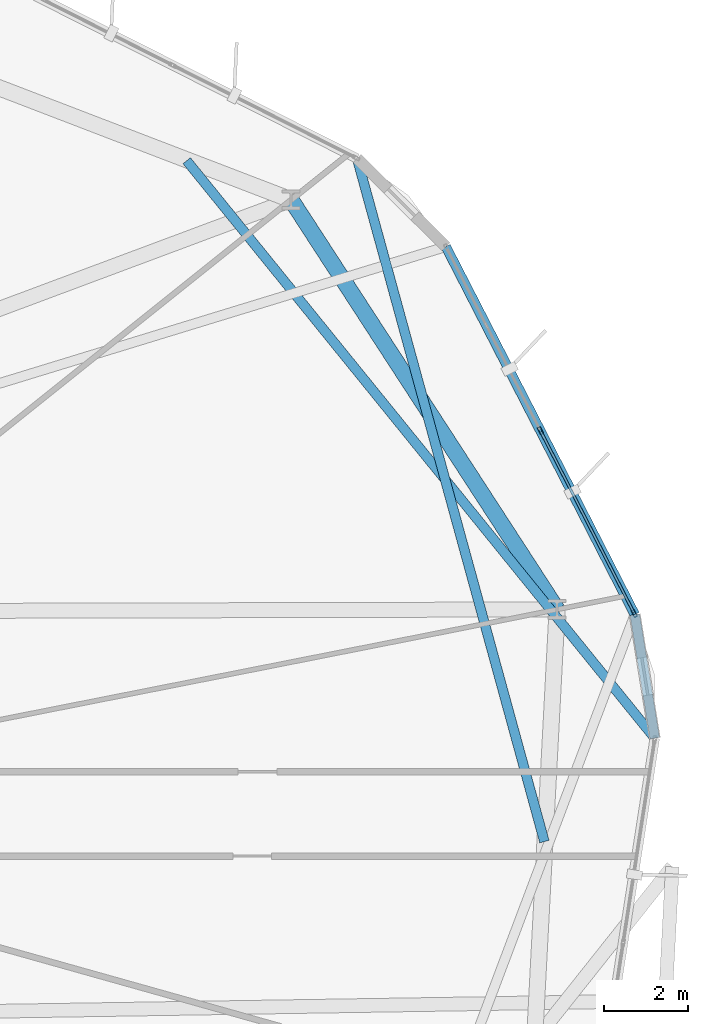
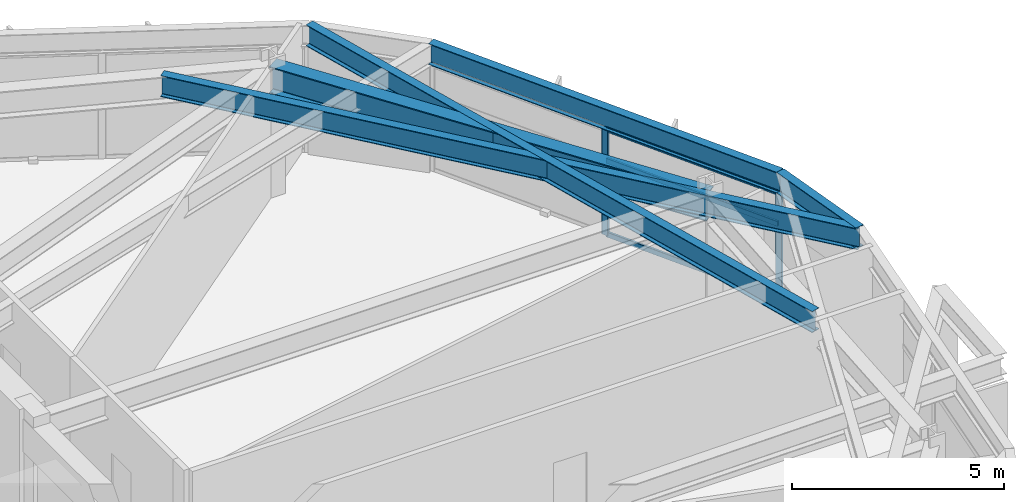
# One storey, part 12 of 23: 5 beams, 5 members, 1 element without a shape of its own.
"""IFC4 building model written with IfcOpenShell, lengths in metres."""

from ifc_helpers import new_model, si_unit, direction, frame, origin, origin_2d, place, context, subcontext, project, spatial, hollow_rectangle, i_section, extrude, material, layer, layer_set, material_profile, profile_set, type_object, element, aggregate, save


model = new_model("IFC4")

# Units and contexts
model_context = context("Model", 3, precision=1e-05, world=origin(), true_north=direction((0.0, 1.0)))
body_context = subcontext(model_context, "Body", "Model", "MODEL_VIEW")
ifc_project = project(units=[si_unit("LENGTHUNIT", "METRE"), si_unit("AREAUNIT", "SQUARE_METRE"), si_unit("VOLUMEUNIT", "CUBIC_METRE"), si_unit("PLANEANGLEUNIT", "RADIAN"), si_unit("MASSUNIT", "GRAM", prefix="KILO")], contexts=[model_context])

# Site, building, storey
site_placement = place(None, origin())
site = spatial("IfcSite", under=ifc_project, at=site_placement, CompositionType="ELEMENT")
building_placement = place(site_placement, origin())
building = spatial("IfcBuilding", under=site, at=building_placement, Name="Soratama Intermodal Tower", CompositionType="ELEMENT")
storey_placement = place(building_placement, frame((0.0, 0.0, 62.60009765625)))
storey = spatial("IfcBuildingStorey", under=building, at=storey_placement, Name="L14", CompositionType="ELEMENT", Elevation=62.60009765625)

# Beams
ifc_material_1 = material(Name="Structural steel ASTM A992 Grade 50", Category="steel")
ifc_material_profile_1 = material_profile(ifc_material_1, i_section(OverallWidth=0.382080078125, OverallDepth=0.779052734375, WebThickness=0.01806640625, FlangeThickness=0.030029296875, FilletRadius=0.01806640625, at=origin_2d()), Name="W30X191")
ifc_profile_set_1 = profile_set([ifc_material_profile_1], Name="Structural steel ASTM A992 Grade 50")
beam_type_1 = type_object("IfcBeamType", Name="BM-RING-W30X191", PredefinedType="BEAM", material=ifc_profile_set_1)
beam_1_placement = place(storey_placement, frame((63.08203125, 29.844970703125, 3.310302734375), z_axis=(-0.544623370352, 0.838680740489, 0.0), x_axis=(-0.838680740489, -0.544623370352, 0.0)))
element("IfcBeam", 1, at=beam_1_placement, inside=storey, type_object=beam_type_1, Name="BM-L14-RING-01", PredefinedType="BEAM", context=body_context, shape_type="SweptSolid", body=[
    extrude(i_section(OverallWidth=0.382080078125, OverallDepth=0.779052734375, WebThickness=0.01806640625, FlangeThickness=0.030029296875, FilletRadius=0.01806640625, at=origin_2d()), origin(), (0.0, 0.0, 1.0), 11.569580078125),
])
ifc_material_2 = material(Name="Structural steel ASTM A992 Grade 50", Category="steel")
ifc_material_profile_2 = material_profile(ifc_material_2, i_section(OverallWidth=0.22900390625, OverallDepth=0.612060546875, WebThickness=0.011962890625, FlangeThickness=0.01953125, FilletRadius=0.012939453125, at=origin_2d()), Name="W24X84")
ifc_profile_set_2 = profile_set([ifc_material_profile_2], Name="Structural steel ASTM A992 Grade 50")
beam_type_2 = type_object("IfcBeamType", Name="BM-SPN-W24X84", PredefinedType="SPANDREL", material=ifc_profile_set_2)
beam_2_placement = place(storey_placement, frame((64.924072265625, 29.721923828125, 3.393798828125), z_axis=(-0.456823332365, 0.889557442219, 0.0), x_axis=(-0.889557442219, -0.456823332365, 0.0)))
element("IfcBeam", 2, at=beam_2_placement, inside=storey, type_object=beam_type_2, Name="BS-L14-F01", PredefinedType="SPANDREL", context=body_context, shape_type="SweptSolid", body=[
    extrude(i_section(OverallWidth=0.22900390625, OverallDepth=0.612060546875, WebThickness=0.011962890625, FlangeThickness=0.01953125, FilletRadius=0.012939453125, at=origin_2d()), origin(), (0.0, 0.0, 1.0), 9.80029296875),
])
beam_3_placement = place(storey_placement, frame((65.39697265625, 26.7939453125, 3.393798828125), z_axis=(-0.159444651557, 0.98720686945, 0.0), x_axis=(-0.98720686945, -0.159444651557, 0.0)))
element("IfcBeam", 3, at=beam_3_placement, inside=storey, type_object=beam_type_2, Name="BS-L14-CRN10", PredefinedType="SPANDREL", context=body_context, shape_type="SweptSolid", body=[
    extrude(i_section(OverallWidth=0.22900390625, OverallDepth=0.612060546875, WebThickness=0.011962890625, FlangeThickness=0.01953125, FilletRadius=0.012939453125, at=origin_2d()), origin(), (0.0, 0.0, 1.0), 2.9658203125),
])
ifc_material_3 = material(Name="Structural steel ASTM A992 Grade 50", Category="steel")
ifc_material_profile_3 = material_profile(ifc_material_3, i_section(OverallWidth=0.22900390625, OverallDepth=0.612060546875, WebThickness=0.011962890625, FlangeThickness=0.01953125, FilletRadius=0.012939453125, at=origin_2d()), Name="W24X84")
ifc_profile_set_3 = profile_set([ifc_material_profile_3], Name="Structural steel ASTM A992 Grade 50")
beam_type_3 = type_object("IfcBeamType", Name="BM-TIE-W24X84", PredefinedType="BEAM", material=ifc_profile_set_3)
beam_4_placement = place(storey_placement, frame((62.781005859375, 24.344970703125, 3.393798828125), z_axis=(-0.264426798534, 0.964405759116, 0.0), x_axis=(-0.964405759116, -0.264426798534, 0.0)))
element("IfcBeam", 4, at=beam_4_placement, inside=storey, type_object=beam_type_3, Name="BM-L14-TIE0-02", PredefinedType="BEAM", context=body_context, shape_type="SweptSolid", body=[
    extrude(i_section(OverallWidth=0.22900390625, OverallDepth=0.612060546875, WebThickness=0.011962890625, FlangeThickness=0.01953125, FilletRadius=0.012939453125, at=origin_2d()), origin(), (0.0, 0.0, 1.0), 16.783447265625),
])
beam_5_placement = place(storey_placement, frame((54.305908203125, 40.47705078125, 3.393798828125), z_axis=(0.62968735622, -0.776848655412, 0.0), x_axis=(0.776848655412, 0.62968735622, 0.0)))
element("IfcBeam", 5, at=beam_5_placement, inside=storey, type_object=beam_type_3, Name="BM-L14-TIE1-10", PredefinedType="BEAM", context=body_context, shape_type="SweptSolid", body=[
    extrude(i_section(OverallWidth=0.22900390625, OverallDepth=0.612060546875, WebThickness=0.011962890625, FlangeThickness=0.01953125, FilletRadius=0.012939453125, at=origin_2d()), origin(), (0.0, 0.0, 1.0), 17.613525390625),
])

# Curtain wall, members
ifc_material_4 = material(Name="Double-glazed aluminium curtain wall", Category="aluminium")
ifc_layer = layer(ifc_material_4, 0.159912109375)
ifc_layer_set = layer_set([ifc_layer], Name="Double-glazed aluminium curtain wall")
curtain_wall_type = type_object("IfcCurtainWallType", Name="CW-SYS-2", PredefinedType="NOTDEFINED", material=ifc_layer_set)
curtain_wall_placement = place(storey_placement, origin())
curtain_wall = element("IfcCurtainWall", 6, at=curtain_wall_placement, inside=storey, type_object=curtain_wall_type, Name="L14 Faceted Curtain Wall F01", PredefinedType="NOTDEFINED")
ifc_material_5 = material(Name="Anodised aluminium AA 6063-T6", Category="aluminium")
ifc_material_profile_4 = material_profile(ifc_material_5, hollow_rectangle(XDim=0.074951171875, YDim=0.179931640625, WallThickness=0.006103515625, InnerFilletRadius=0.006103515625, OuterFilletRadius=0.011962890625, at=origin_2d()), Name="CWM180X75X6")
ifc_profile_set_4 = profile_set([ifc_material_profile_4], Name="Anodised aluminium AA 6063-T6")
member_type_1 = type_object("IfcMemberType", Name="MT-CWM-2", PredefinedType="MULLION", material=ifc_profile_set_4)
member_1_placement = place(storey_placement, frame((64.909912109375, 29.7490234375, 0.0), z_axis=(0.0, 0.0, 1.0), x_axis=(-0.889575647258, -0.456787880537, 0.0)))
member_1 = element("IfcMember", 7, at=member_1_placement, type_object=member_type_1, Name="CW-2 mullion 1", PredefinedType="MULLION", context=body_context, shape_type="SweptSolid", body=[
    extrude(hollow_rectangle(XDim=0.074951171875, YDim=0.179931640625, WallThickness=0.006103515625, InnerFilletRadius=0.006103515625, OuterFilletRadius=0.011962890625, at=origin_2d()), origin(), (0.0, 0.0, 1.0), 3.078857421875),
])
member_2_placement = place(storey_placement, frame((62.685302734375, 34.081298828125, 0.0), z_axis=(0.0, 0.0, 1.0), x_axis=(-0.889575647258, -0.456787880537, 0.0)))
member_2 = element("IfcMember", 8, at=member_2_placement, type_object=member_type_1, Name="CW-2 mullion 2", PredefinedType="MULLION", context=body_context, shape_type="SweptSolid", body=[
    extrude(hollow_rectangle(XDim=0.074951171875, YDim=0.179931640625, WallThickness=0.006103515625, InnerFilletRadius=0.006103515625, OuterFilletRadius=0.011962890625, at=origin_2d()), origin(), (0.0, 0.0, 1.0), 3.078857421875),
])
ifc_material_6 = material(Name="Anodised aluminium AA 6063-T6", Category="aluminium")
ifc_material_profile_5 = material_profile(ifc_material_6, hollow_rectangle(XDim=0.06494140625, YDim=0.14990234375, WallThickness=0.0048828125, InnerFilletRadius=0.0048828125, OuterFilletRadius=0.010009765625, at=origin_2d()), Name="CWT150X65X5")
ifc_profile_set_5 = profile_set([ifc_material_profile_5], Name="Anodised aluminium AA 6063-T6")
member_type_2 = type_object("IfcMemberType", Name="TT-CWT-1", PredefinedType="USERDEFINED", material=ifc_profile_set_5)
member_3_placement = place(storey_placement, frame((64.896240234375, 29.775634765625, 0.02978515625), z_axis=(-0.456811198281, 0.889563673452, 0.0), x_axis=(-0.889563673452, -0.456811198281, 0.0)))
member_3 = element("IfcMember", 9, at=member_3_placement, type_object=member_type_2, Name="CW-2 transom 1.1", ObjectType="TRANSOM", PredefinedType="USERDEFINED", context=body_context, shape_type="SweptSolid", body=[
    extrude(hollow_rectangle(XDim=0.06494140625, YDim=0.14990234375, WallThickness=0.0048828125, InnerFilletRadius=0.0048828125, OuterFilletRadius=0.010009765625, at=origin_2d()), origin(), (0.0, 0.0, 1.0), 4.81005859375),
])
member_4_placement = place(storey_placement, frame((64.896240234375, 29.775634765625, 2.14990234375), z_axis=(-0.456811198281, 0.889563673452, 0.0), x_axis=(-0.889563673452, -0.456811198281, 0.0)))
member_4 = element("IfcMember", 10, at=member_4_placement, type_object=member_type_2, Name="CW-2 transom 1.2", ObjectType="TRANSOM", PredefinedType="USERDEFINED", context=body_context, shape_type="SweptSolid", body=[
    extrude(hollow_rectangle(XDim=0.06494140625, YDim=0.14990234375, WallThickness=0.0048828125, InnerFilletRadius=0.0048828125, OuterFilletRadius=0.010009765625, at=origin_2d()), origin(), (0.0, 0.0, 1.0), 4.81005859375),
])
member_5_placement = place(storey_placement, frame((64.896240234375, 29.775634765625, 3.048828125), z_axis=(-0.456811198281, 0.889563673452, 0.0), x_axis=(-0.889563673452, -0.456811198281, 0.0)))
member_5 = element("IfcMember", 11, at=member_5_placement, type_object=member_type_2, Name="CW-2 transom 1.3", ObjectType="TRANSOM", PredefinedType="USERDEFINED", context=body_context, shape_type="SweptSolid", body=[
    extrude(hollow_rectangle(XDim=0.06494140625, YDim=0.14990234375, WallThickness=0.0048828125, InnerFilletRadius=0.0048828125, OuterFilletRadius=0.010009765625, at=origin_2d()), origin(), (0.0, 0.0, 1.0), 4.81005859375),
])
aggregate(curtain_wall, [member_1, member_2, member_3, member_4, member_5])

save(model, "model.ifc")
